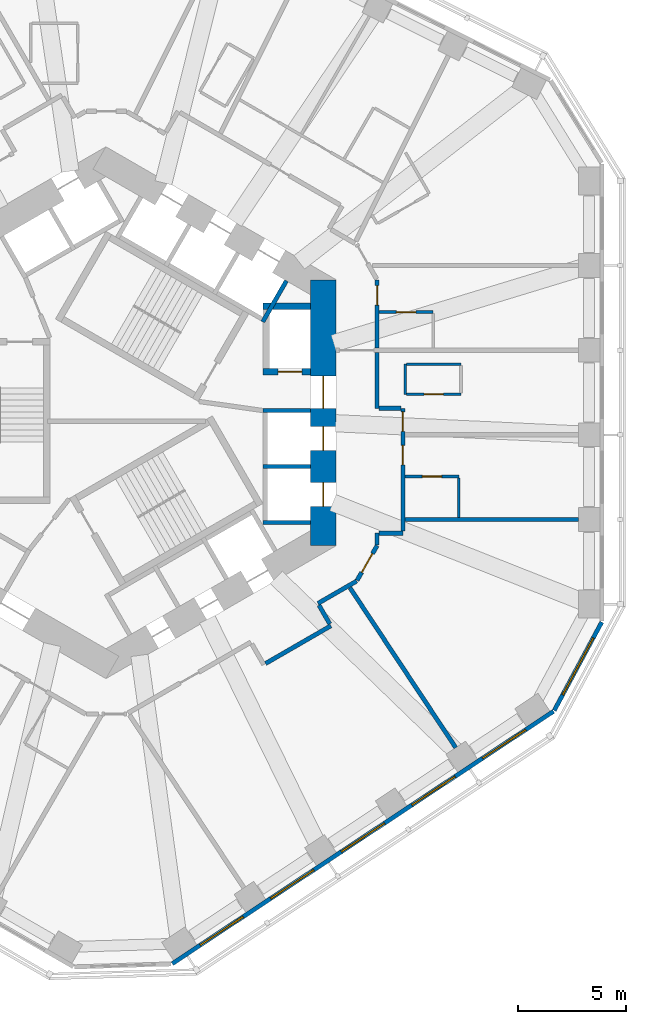
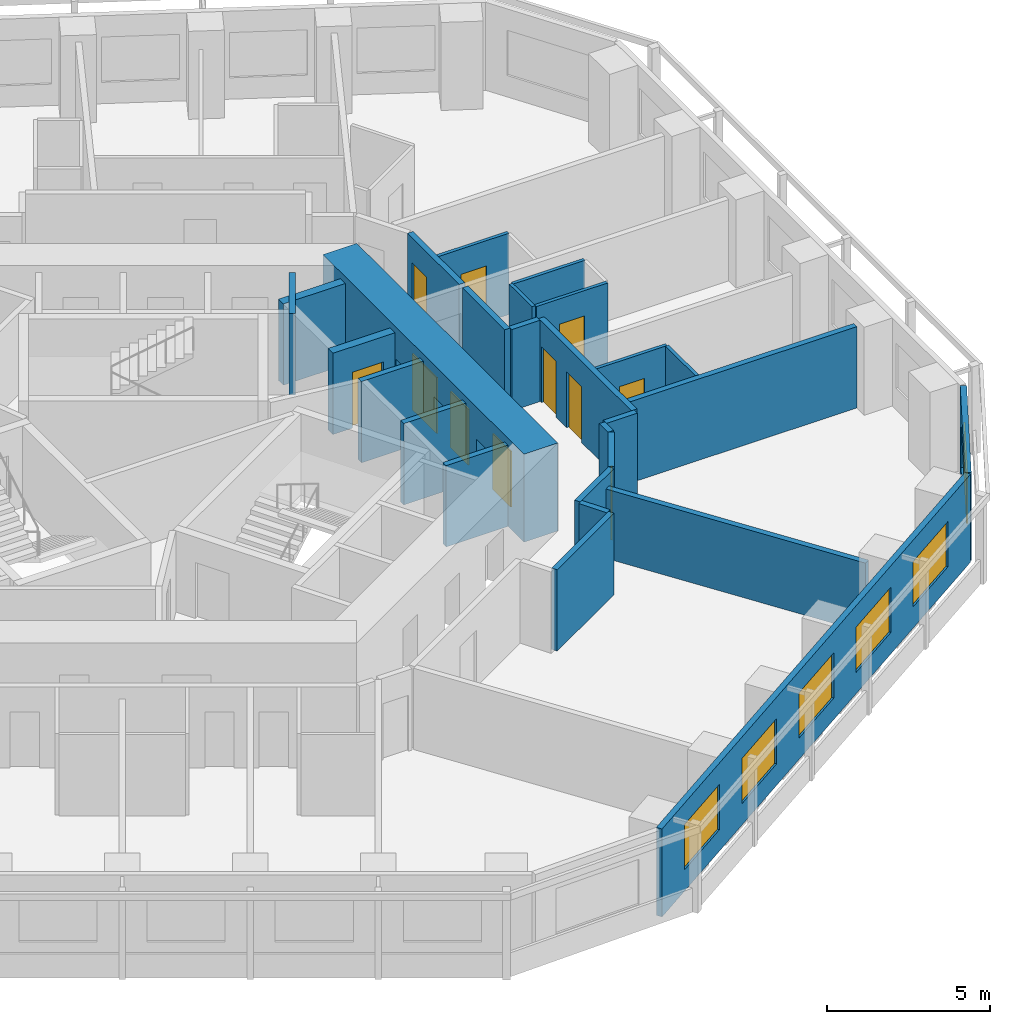
# One storey, part 6 of 12: 27 walls, 11 doors, 6 windows, 17 openings.
"""IFC4 building model written with IfcOpenShell, lengths in metres."""

import ifcopenshell
import ifcopenshell.guid

model = None  # the IFC model being written
_history = None  # IfcOwnerHistory: only IFC2X3 demands one
_inside = {}  # id of a spatial element -> (the spatial element, [elements in it])
_under = {}  # id of a project, library or spatial element -> (it, [spatial elements below it])
_declared = {}  # id of a project -> (the project, [libraries it declares])
_typed = {}  # id of a type object -> (the type object, [elements of that type])
_made_of = {}  # id of a material, layer set ... -> (it, [elements and type objects made of it])


def new_model(schema):
    """Start an empty IFC model of exactly this schema.

    Asked for "IFC4X3", IfcOpenShell would pick the latest addendum, in which some entities
    have other attributes; the version numbers below select the first issue.
    IFC2X3 requires an IfcOwnerHistory on every rooted entity: one is made here for all.
    """
    global model, _history
    if schema == "IFC4X3":
        model = ifcopenshell.file(schema_version=(4, 3, 0, 0))
    else:
        model = ifcopenshell.file(schema=schema)
    _inside.clear()
    _under.clear()
    _declared.clear()
    _typed.clear()
    _made_of.clear()
    _history = None
    if model.schema == "IFC2X3":
        org = make("IfcOrganization", Name="unknown")
        user = make(
            "IfcPersonAndOrganization",
            ThePerson=make("IfcPerson", FamilyName="unknown"),
            TheOrganization=org,
        )
        app = make(
            "IfcApplication",
            ApplicationDeveloper=org,
            Version="unknown",
            ApplicationFullName="unknown",
            ApplicationIdentifier="unknown",
        )
        _history = make(
            "IfcOwnerHistory",
            OwningUser=user,
            OwningApplication=app,
            ChangeAction="ADDED",
            CreationDate=0,
        )
    return model


def make(cls, **values):
    """One entity of the class cls with the attributes given. An attribute that is None is left unset."""
    return model.create_entity(
        cls, **{name: value for name, value in values.items() if value is not None}
    )


def rooted(cls, **values):
    """An entity with a GlobalId (a new one), such as an element, a storey or a relation."""
    return make(cls, GlobalId=ifcopenshell.guid.new(), OwnerHistory=_history, **values)


def si_unit(unit_type, name, prefix=None):
    """IfcSIUnit, for example si_unit("LENGTHUNIT", "METRE", prefix="MILLI")."""
    return make("IfcSIUnit", UnitType=unit_type, Prefix=prefix, Name=name)


def assignment(units):
    """IfcUnitAssignment: the units of a project."""
    return None if units is None else make("IfcUnitAssignment", Units=units)


def point(xyz):
    """IfcCartesianPoint."""
    return None if xyz is None else make("IfcCartesianPoint", Coordinates=xyz)


def direction(xyz):
    """IfcDirection."""
    return None if xyz is None else make("IfcDirection", DirectionRatios=xyz)


def frame(location, z_axis=None, x_axis=None):
    """IfcAxis2Placement3D, a coordinate frame: its origin and axes. An axis left out is left unset."""
    return make(
        "IfcAxis2Placement3D",
        Location=point(location),
        Axis=direction(z_axis),
        RefDirection=direction(x_axis),
    )


def frame_2d(location, x_axis=None):
    """IfcAxis2Placement2D, a coordinate frame in the plane: its origin and x axis."""
    return make(
        "IfcAxis2Placement2D", Location=point(location), RefDirection=direction(x_axis)
    )


def origin():
    """The frame at (0, 0, 0) with its axes left unset."""
    return frame((0.0, 0.0, 0.0))


def place(relative_to, where):
    """IfcLocalPlacement: puts the frame where relative to a parent placement (None: the world)."""
    return make(
        "IfcLocalPlacement", PlacementRelTo=relative_to, RelativePlacement=where
    )


def context(
    kind, dimensions, precision=None, world=None, true_north=None, identifier=None
):
    """IfcGeometricRepresentationContext, for example the 3D "Model" context."""
    return make(
        "IfcGeometricRepresentationContext",
        ContextIdentifier=identifier,
        ContextType=kind,
        CoordinateSpaceDimension=dimensions,
        Precision=precision,
        WorldCoordinateSystem=world,
        TrueNorth=true_north,
    )


def subcontext(parent, identifier, kind, view, scale=None):
    """IfcGeometricRepresentationSubContext, for example "Body" below "Model"."""
    return make(
        "IfcGeometricRepresentationSubContext",
        ContextIdentifier=identifier,
        ContextType=kind,
        ParentContext=parent,
        TargetScale=scale,
        TargetView=view,
    )


def project(units=None, contexts=None):
    """IfcProject with its units and contexts."""
    return rooted(
        "IfcProject",
        Name="project",
        RepresentationContexts=contexts,
        UnitsInContext=assignment(units),
    )


def spatial(cls, under=None, at=None, **own):
    """A site, building, storey or space (cls), placed at a placement, below another one or the project."""
    s = rooted(cls, ObjectPlacement=at, **own)
    if under is not None:
        _under.setdefault(under.id(), (under, []))[1].append(s)
    return s


def profile(cls, at=None, kind="AREA", **sizes):
    """A parametric profile (cls). Its sizes go by their IFC names, for example OverallWidth=200.0."""
    return make(cls, ProfileType=kind, Position=at, **sizes)


def rectangle(**sizes):
    """IfcRectangleProfileDef."""
    return profile("IfcRectangleProfileDef", **sizes)


def extrude(swept, where, along, depth):
    """IfcExtrudedAreaSolid: the profile swept, set in the frame where, extruded along a direction by depth."""
    return make(
        "IfcExtrudedAreaSolid",
        SweptArea=swept,
        Position=where,
        ExtrudedDirection=direction(along),
        Depth=depth,
    )


def shape(context_of_items, identifier, shape_type, items):
    """IfcShapeRepresentation: the items that make up one representation, for example the "Body"."""
    return make(
        "IfcShapeRepresentation",
        ContextOfItems=context_of_items,
        RepresentationIdentifier=identifier,
        RepresentationType=shape_type,
        Items=items,
    )


def material(Name=None, Category=None):
    """IfcMaterial."""
    return make("IfcMaterial", Name=Name, Category=Category)


def layer(
    of_material, thickness, ventilated=None, Name=None, Category=None, Priority=None
):
    """IfcMaterialLayer: one layer of a wall or slab, of a material (None: an air gap)."""
    return make(
        "IfcMaterialLayer",
        Material=of_material,
        LayerThickness=thickness,
        IsVentilated=ventilated,
        Name=Name,
        Category=Category,
        Priority=Priority,
    )


def layer_set(layers, Name=None):
    """IfcMaterialLayerSet."""
    return make("IfcMaterialLayerSet", MaterialLayers=layers, LayerSetName=Name)


def made_of(thing, what):
    """Note that an element or type object is made of a material, layer set ...; save() writes the relation."""
    if what is not None:
        _made_of.setdefault(what.id(), (what, []))[1].append(thing)
    return thing


def type_object(cls, material=None, **own):
    """A type object (cls), such as IfcWallType, which elements share."""
    return made_of(rooted(cls, **own), material)


def element(
    cls,
    number,
    at=None,
    inside=None,
    cuts=None,
    type_object=None,
    material=None,
    context=None,
    identifier="Body",
    shape_type=None,
    held_by="IfcProductDefinitionShape",
    body=None,
    shapes=None,
    **own,
):
    """One element of the class cls, such as IfcWall. Its Tag is "e" and its number.

    at: its placement. inside: the storey or other place that contains it. cuts: it is an
    opening in that element (IfcRelVoidsElement). A single representation is given by context,
    identifier, shape_type and body (its items); several are given by shapes. held_by: the class
    of the entity that holds the representations. save() writes the other relations.
    """
    e = rooted(cls, Tag="e%d" % number, ObjectPlacement=at, **own)
    if body is not None:
        shapes = [shape(context, identifier, shape_type, body)]
    if shapes is not None:
        e.Representation = make(held_by, Representations=shapes)
    if inside is not None:
        _inside.setdefault(inside.id(), (inside, []))[1].append(e)
    if cuts is not None:
        rooted(
            "IfcRelVoidsElement", RelatingBuildingElement=cuts, RelatedOpeningElement=e
        )
    if type_object is not None:
        _typed.setdefault(type_object.id(), (type_object, []))[1].append(e)
    return made_of(e, material)


def fill(opening, filler):
    """IfcRelFillsElement: the door or window that sits in an opening."""
    return rooted(
        "IfcRelFillsElement",
        RelatingOpeningElement=opening,
        RelatedBuildingElement=filler,
    )


def aggregate(whole, parts):
    """IfcRelAggregates: a whole, such as a stair, and the parts it consists of."""
    return rooted("IfcRelAggregates", RelatingObject=whole, RelatedObjects=parts)


def save(model, path):
    """Write the relations noted so far, then the file.

    IfcRelAggregates (storeys below a building ...), IfcRelContainedInSpatialStructure (elements
    in a storey), IfcRelDefinesByType, IfcRelAssociatesMaterial and IfcRelDeclares: one each for
    every whole, place, type object, material and project.
    """
    for whole, parts in _under.values():
        aggregate(whole, parts)
    for where, things in _inside.values():
        rooted(
            "IfcRelContainedInSpatialStructure",
            RelatedElements=things,
            RelatingStructure=where,
        )
    for kind, things in _typed.values():
        rooted("IfcRelDefinesByType", RelatedObjects=things, RelatingType=kind)
    for what, things in _made_of.values():
        rooted("IfcRelAssociatesMaterial", RelatedObjects=things, RelatingMaterial=what)
    for by, libraries in _declared.values():
        rooted("IfcRelDeclares", RelatingContext=by, RelatedDefinitions=libraries)
    model.write(path)


model = new_model("IFC4")

# Units and contexts
model_context = context("Model", 3, precision=1e-05, world=origin(), true_north=direction((0.0, 1.0)))
body_context = subcontext(model_context, "Body", "Model", "MODEL_VIEW")
ifc_project = project(units=[si_unit("LENGTHUNIT", "METRE"), si_unit("AREAUNIT", "SQUARE_METRE"), si_unit("VOLUMEUNIT", "CUBIC_METRE"), si_unit("PLANEANGLEUNIT", "RADIAN"), si_unit("MASSUNIT", "GRAM", prefix="KILO")], contexts=[model_context])

# Site, building, storey
site_placement = place(None, origin())
site = spatial("IfcSite", under=ifc_project, at=site_placement, CompositionType="ELEMENT")
building_placement = place(site_placement, origin())
building = spatial("IfcBuilding", under=site, at=building_placement, Name="Vanh Sen Convention Tower", CompositionType="ELEMENT")
storey_placement = place(building_placement, frame((0.0, 0.0, 93.5)))
storey = spatial("IfcBuildingStorey", under=building, at=storey_placement, Name="L21", CompositionType="ELEMENT", Elevation=93.5)

# Wall, opening, door
ifc_material_1 = material(Name="Moisture-resistant gypsum board on steel studs", Category="steel")
ifc_layer_1 = layer(ifc_material_1, 0.1201171875)
ifc_layer_set_1 = layer_set([ifc_layer_1], Name="Moisture-resistant gypsum board on steel studs")
wall_type_1 = type_object("IfcWallType", Name="Bathroom partition 120", PredefinedType="PARTITIONING", material=ifc_layer_set_1)
wall_1_placement = place(storey_placement, frame((12.699951171875, 4.677490234375, 0.0), z_axis=(0.0, 0.0, 1.0), x_axis=(1.0, 0.0, 0.0)))
wall_1 = element("IfcWall", 1, at=wall_1_placement, inside=storey, type_object=wall_type_1, Name="Bathroom partition 120", PredefinedType="PARTITIONING", context=body_context, shape_type="SweptSolid", body=[
    extrude(rectangle(XDim=2.5, YDim=0.1201171875, at=frame_2d((1.25, 0.0))), origin(), (0.0, 0.0, 1.0), 3.050048828125),
])
opening_1_placement = place(wall_1_placement, frame((0.800048828125, 0.0, 0.0)))
opening_1 = element("IfcOpeningElement", 2, at=opening_1_placement, cuts=wall_1, Name="Opening D19106", PredefinedType="OPENING", context=body_context, shape_type="SweptSolid", body=[
    extrude(rectangle(XDim=0.89990234375, YDim=2.10009765625, at=frame_2d((0.449951171875, 1.050048828125))), frame((0.0, 0.070068359375, 0.0), z_axis=(0.0, -1.0, 0.0), x_axis=(1.0, 0.0, 0.0)), (0.0, 0.0, 1.0), 0.14013671875),
])
ifc_material_2 = material(Name="Laminate door in steel frame", Category="steel")
door_type_1 = type_object("IfcDoorType", Name="En-suite door 900", OperationType="SINGLE_SWING_LEFT", PredefinedType="DOOR", material=ifc_material_2)
door_1_placement = place(opening_1_placement, origin())
door_1 = element("IfcDoor", 3, at=door_1_placement, inside=storey, type_object=door_type_1, Name="En-suite door D19106", OperationType="SINGLE_SWING_LEFT", OverallHeight=2.10009765625, OverallWidth=0.89990234375, PredefinedType="DOOR", context=body_context, shape_type="SweptSolid", body=[
    extrude(rectangle(XDim=0.89990234375, YDim=2.10009765625, at=frame_2d((0.449951171875, 1.050048828125))), frame((0.0, 0.02490234375, 0.0), z_axis=(0.0, -1.0, 0.0), x_axis=(1.0, 0.0, 0.0)), (0.0, 0.0, 1.0), 0.050048828125),
])
fill(opening_1, door_1)

wall_2_placement = place(storey_placement, frame((13.90087890625, -2.964599609375, 0.0), z_axis=(0.0, 0.0, 1.0), x_axis=(1.0, 0.0, 0.0)))
wall_2 = element("IfcWall", 4, at=wall_2_placement, inside=storey, type_object=wall_type_1, Name="Bathroom partition 120", PredefinedType="PARTITIONING", context=body_context, shape_type="SweptSolid", body=[
    extrude(rectangle(XDim=2.5, YDim=0.1201171875, at=frame_2d((1.25, 0.0))), origin(), (0.0, 0.0, 1.0), 3.050048828125),
])
opening_2_placement = place(wall_2_placement, frame((0.800048828125, 0.0, 0.0)))
opening_2 = element("IfcOpeningElement", 5, at=opening_2_placement, cuts=wall_2, Name="Opening D19102", PredefinedType="OPENING", context=body_context, shape_type="SweptSolid", body=[
    extrude(rectangle(XDim=0.89990234375, YDim=2.10009765625, at=frame_2d((0.449951171875, 1.050048828125))), frame((0.0, 0.070068359375, 0.0), z_axis=(0.0, -1.0, 0.0), x_axis=(1.0, 0.0, 0.0)), (0.0, 0.0, 1.0), 0.14013671875),
])
door_2_placement = place(opening_2_placement, origin())
door_2 = element("IfcDoor", 6, at=door_2_placement, inside=storey, type_object=door_type_1, Name="En-suite door D19102", OperationType="SINGLE_SWING_LEFT", OverallHeight=2.10009765625, OverallWidth=0.89990234375, PredefinedType="DOOR", context=body_context, shape_type="SweptSolid", body=[
    extrude(rectangle(XDim=0.89990234375, YDim=2.10009765625, at=frame_2d((0.449951171875, 1.050048828125))), frame((0.0, 0.02490234375, 0.0), z_axis=(0.0, -1.0, 0.0), x_axis=(1.0, 0.0, 0.0)), (0.0, 0.0, 1.0), 0.050048828125),
])
fill(opening_2, door_2)

# Walls
wall_3_placement = place(storey_placement, frame((13.89990234375, 0.852783203125, 0.0), z_axis=(0.0, 0.0, 1.0), x_axis=(0.0, 1.0, 0.0)))
element("IfcWall", 7, at=wall_3_placement, inside=storey, type_object=wall_type_1, Name="Bathroom partition 120", PredefinedType="PARTITIONING", context=body_context, shape_type="SweptSolid", body=[
    extrude(rectangle(XDim=1.39990234375, YDim=0.1201171875, at=frame_2d((0.699951171875, 0.0))), origin(), (0.0, 0.0, 1.0), 3.050048828125),
])
wall_4_placement = place(storey_placement, frame((13.9599609375, 2.252685546875, 0.0), z_axis=(0.0, 0.0, 1.0), x_axis=(1.0, 0.0, 0.0)))
element("IfcWall", 8, at=wall_4_placement, inside=storey, type_object=wall_type_1, Name="Bathroom partition 120", PredefinedType="PARTITIONING", context=body_context, shape_type="SweptSolid", body=[
    extrude(rectangle(XDim=2.5400390625, YDim=0.1201171875, at=frame_2d((1.27001953125, 0.0))), origin(), (0.0, 0.0, 1.0), 3.050048828125),
])
wall_5_placement = place(storey_placement, frame((16.40087890625, -3.024658203125, 0.0), z_axis=(0.0, 0.0, 1.0), x_axis=(0.0, -1.0, 0.0)))
element("IfcWall", 9, at=wall_5_placement, inside=storey, type_object=wall_type_1, Name="Bathroom partition 120", PredefinedType="PARTITIONING", context=body_context, shape_type="SweptSolid", body=[
    extrude(rectangle(XDim=1.83984375, YDim=0.1201171875, at=frame_2d((0.919921875, 0.0))), origin(), (0.0, 0.0, 1.0), 3.050048828125),
])

# Wall, opening, door
wall_6_placement = place(storey_placement, frame((16.5, 0.852783203125, 0.0), z_axis=(0.0, 0.0, 1.0), x_axis=(-1.0, 0.0, 0.0)))
wall_6 = element("IfcWall", 10, at=wall_6_placement, inside=storey, type_object=wall_type_1, Name="Bathroom partition 120", PredefinedType="PARTITIONING", context=body_context, shape_type="SweptSolid", body=[
    extrude(rectangle(XDim=2.5400390625, YDim=0.1201171875, at=frame_2d((1.27001953125, 0.0))), origin(), (0.0, 0.0, 1.0), 3.050048828125),
])
opening_3_placement = place(wall_6_placement, frame((0.820068359375, 0.0, 0.0)))
opening_3 = element("IfcOpeningElement", 11, at=opening_3_placement, cuts=wall_6, Name="Opening D19104", PredefinedType="OPENING", context=body_context, shape_type="SweptSolid", body=[
    extrude(rectangle(XDim=0.89990234375, YDim=2.10009765625, at=frame_2d((0.449951171875, 1.050048828125))), frame((0.0, 0.070068359375, 0.0), z_axis=(0.0, -1.0, 0.0), x_axis=(1.0, 0.0, 0.0)), (0.0, 0.0, 1.0), 0.14013671875),
])
door_3_placement = place(opening_3_placement, origin())
door_3 = element("IfcDoor", 12, at=door_3_placement, inside=storey, type_object=door_type_1, Name="En-suite door D19104", OperationType="SINGLE_SWING_LEFT", OverallHeight=2.10009765625, OverallWidth=0.89990234375, PredefinedType="DOOR", context=body_context, shape_type="SweptSolid", body=[
    extrude(rectangle(XDim=0.89990234375, YDim=2.10009765625, at=frame_2d((0.449951171875, 1.050048828125))), frame((0.0, 0.02490234375, 0.0), z_axis=(0.0, -1.0, 0.0), x_axis=(1.0, 0.0, 0.0)), (0.0, 0.0, 1.0), 0.050048828125),
])
fill(opening_3, door_3)

# Wall, openings, doors
ifc_material_3 = material(Name="Concrete C80/95", Category="concrete")
ifc_layer_2 = layer(ifc_material_3, 1.199951171875)
ifc_layer_set_2 = layer_set([ifc_layer_2], Name="Concrete C80/95")
wall_type_2 = type_object("IfcWallType", Name="Core outer wall 1200 C80/95", PredefinedType="SHEAR", material=ifc_layer_set_2)
wall_7_placement = place(storey_placement, frame((10.10009765625, -6.177490234375, 0.0), z_axis=(0.0, 0.0, 1.0), x_axis=(0.0, 1.0, 0.0)))
wall_7 = element("IfcWall", 13, at=wall_7_placement, inside=storey, type_object=wall_type_2, Name="Core wall face E L21", PredefinedType="SHEAR", context=body_context, shape_type="SweptSolid", body=[
    extrude(rectangle(XDim=12.35498046875, YDim=1.199951171875, at=frame_2d((6.177490234375, 0.0))), origin(), (0.0, 0.0, 1.0), 3.300048828125),
])
opening_4_placement = place(wall_7_placement, frame((6.377685546875, 0.0, 0.0)))
opening_4 = element("IfcOpeningElement", 14, at=opening_4_placement, cuts=wall_7, Name="Opening D19001", PredefinedType="OPENING", context=body_context, shape_type="SweptSolid", body=[
    extrude(rectangle(XDim=1.5, YDim=2.10009765625, at=frame_2d((0.75, 1.050048828125))), frame((0.0, 0.60986328125, 0.0), z_axis=(0.0, -1.0, 0.0), x_axis=(1.0, 0.0, 0.0)), (0.0, 0.0, 1.0), 1.219970703125),
])
opening_5_placement = place(wall_7_placement, frame((1.82763671875, 0.0, 0.0)))
opening_5 = element("IfcOpeningElement", 15, at=opening_5_placement, cuts=wall_7, Name="Opening LD-LR1", PredefinedType="OPENING", context=body_context, shape_type="SweptSolid", body=[
    extrude(rectangle(XDim=1.10009765625, YDim=2.10009765625, at=frame_2d((0.550048828125, 1.050048828125))), frame((0.0, 0.60986328125, 0.0), z_axis=(0.0, -1.0, 0.0), x_axis=(1.0, 0.0, 0.0)), (0.0, 0.0, 1.0), 1.219970703125),
])
opening_6_placement = place(wall_7_placement, frame((4.427490234375, 0.0, 0.0)))
opening_6 = element("IfcOpeningElement", 16, at=opening_6_placement, cuts=wall_7, Name="Opening LD-LR2", PredefinedType="OPENING", context=body_context, shape_type="SweptSolid", body=[
    extrude(rectangle(XDim=1.10009765625, YDim=2.10009765625, at=frame_2d((0.550048828125, 1.050048828125))), frame((0.0, 0.60986328125, 0.0), z_axis=(0.0, -1.0, 0.0), x_axis=(1.0, 0.0, 0.0)), (0.0, 0.0, 1.0), 1.219970703125),
])
ifc_material_4 = material(Name="Stainless steel", Category="steel")
door_type_2 = type_object("IfcDoorType", Name="Lift landing door 1100", OperationType="DOUBLE_DOOR_SLIDING", PredefinedType="DOOR", material=ifc_material_4)
door_4_placement = place(opening_5_placement, origin())
door_4 = element("IfcDoor", 17, at=door_4_placement, inside=storey, type_object=door_type_2, Name="Lift LR1 landing door LD-LR1", OperationType="DOUBLE_DOOR_SLIDING", OverallHeight=2.10009765625, OverallWidth=1.10009765625, PredefinedType="DOOR", context=body_context, shape_type="SweptSolid", body=[
    extrude(rectangle(XDim=1.10009765625, YDim=2.10009765625, at=frame_2d((0.550048828125, 1.050048828125))), frame((0.0, 0.02490234375, 0.0), z_axis=(0.0, -1.0, 0.0), x_axis=(1.0, 0.0, 0.0)), (0.0, 0.0, 1.0), 0.050048828125),
])
fill(opening_5, door_4)
door_5_placement = place(opening_6_placement, origin())
door_5 = element("IfcDoor", 18, at=door_5_placement, inside=storey, type_object=door_type_2, Name="Lift LR2 landing door LD-LR2", OperationType="DOUBLE_DOOR_SLIDING", OverallHeight=2.10009765625, OverallWidth=1.10009765625, PredefinedType="DOOR", context=body_context, shape_type="SweptSolid", body=[
    extrude(rectangle(XDim=1.10009765625, YDim=2.10009765625, at=frame_2d((0.550048828125, 1.050048828125))), frame((0.0, 0.02490234375, 0.0), z_axis=(0.0, -1.0, 0.0), x_axis=(1.0, 0.0, 0.0)), (0.0, 0.0, 1.0), 0.050048828125),
])
fill(opening_6, door_5)
ifc_material_5 = material(Name="Steel S355", Category="steel")
door_type_3 = type_object("IfcDoorType", Name="Stair lobby door 1500", OperationType="DOUBLE_DOOR_SINGLE_SWING", PredefinedType="DOOR", material=ifc_material_5)
door_6_placement = place(opening_4_placement, origin())
door_6 = element("IfcDoor", 19, at=door_6_placement, inside=storey, type_object=door_type_3, Name="Stair lobby door D19001", OperationType="DOUBLE_DOOR_SINGLE_SWING", OverallHeight=2.10009765625, OverallWidth=1.5, PredefinedType="DOOR", context=body_context, shape_type="SweptSolid", body=[
    extrude(rectangle(XDim=1.5, YDim=2.10009765625, at=frame_2d((0.75, 1.050048828125))), frame((0.0, 0.02490234375, 0.0), z_axis=(0.0, -1.0, 0.0), x_axis=(1.0, 0.0, 0.0)), (0.0, 0.0, 1.0), 0.050048828125),
])
fill(opening_4, door_6)

# Walls
ifc_material_6 = material(Name="Gypsum board on steel studs with mineral wool", Category="steel")
ifc_layer_3 = layer(ifc_material_6, 0.199951171875)
ifc_layer_set_3 = layer_set([ifc_layer_3], Name="Gypsum board on steel studs with mineral wool")
wall_type_3 = type_object("IfcWallType", Name="Corridor partition wall 200", PredefinedType="PARTITIONING", material=ifc_layer_set_3)
wall_8_placement = place(storey_placement, frame((7.419189453125, -11.652587890625, 0.0), z_axis=(0.0, 0.0, 1.0), x_axis=(0.866038154057, 0.49997791523, 0.0)))
element("IfcWall", 20, at=wall_8_placement, inside=storey, type_object=wall_type_3, Name="Corridor partition wall 200", PredefinedType="PARTITIONING", context=body_context, shape_type="SweptSolid", body=[
    extrude(rectangle(XDim=3.502197265625, YDim=0.199951171875, at=frame_2d((1.7509765625, 0.0))), origin(), (0.0, 0.0, 1.0), 3.050048828125),
])
wall_9_placement = place(storey_placement, frame((9.8515625, -8.861328125, 0.0), z_axis=(0.0, 0.0, 1.0), x_axis=(0.866013291437, 0.500020978615, 0.0)))
element("IfcWall", 21, at=wall_9_placement, inside=storey, type_object=wall_type_3, Name="Corridor partition wall 200", PredefinedType="PARTITIONING", context=body_context, shape_type="SweptSolid", body=[
    extrude(rectangle(XDim=2.07666015625, YDim=0.199951171875, at=frame_2d((1.038330078125, 0.0))), origin(), (0.0, 0.0, 1.0), 3.050048828125),
])
wall_10_placement = place(storey_placement, frame((10.402099609375, -9.81494140625, 0.0), z_axis=(0.0, 0.0, 1.0), x_axis=(-0.499968756647, 0.866043441391, 0.0)))
element("IfcWall", 22, at=wall_10_placement, inside=storey, type_object=wall_type_3, Name="Corridor partition wall 200", PredefinedType="PARTITIONING", context=body_context, shape_type="SweptSolid", body=[
    extrude(rectangle(XDim=1.0009765625, YDim=0.199951171875, at=frame_2d((0.50048828125, 0.0))), origin(), (0.0, 0.0, 1.0), 3.050048828125),
])

# Wall, opening, door
wall_11_placement = place(storey_placement, frame((11.669921875, -7.788330078125, 0.0), z_axis=(0.0, 0.0, 1.0), x_axis=(0.500063286585, 0.865988862174, 0.0)))
wall_11 = element("IfcWall", 23, at=wall_11_placement, inside=storey, type_object=wall_type_3, Name="Corridor partition wall 200", PredefinedType="PARTITIONING", context=body_context, shape_type="SweptSolid", body=[
    extrude(rectangle(XDim=1.860107421875, YDim=0.199951171875, at=frame_2d((0.93017578125, 0.0))), origin(), (0.0, 0.0, 1.0), 3.050048828125),
])
opening_7_placement = place(wall_11_placement, frame((0.429931640625, 0.0, 0.0)))
opening_7 = element("IfcOpeningElement", 24, at=opening_7_placement, cuts=wall_11, Name="Opening D19139", PredefinedType="OPENING", context=body_context, shape_type="SweptSolid", body=[
    extrude(rectangle(XDim=1.0, YDim=2.10009765625, at=frame_2d((0.5, 1.050048828125))), frame((0.0, 0.10986328125, 0.0), z_axis=(0.0, -1.0, 0.0), x_axis=(1.0, 0.0, 0.0)), (0.0, 0.0, 1.0), 0.219970703125),
])
ifc_material_7 = material(Name="Timber fire door in steel frame", Category="steel")
door_type_4 = type_object("IfcDoorType", Name="Floor room door 1000", OperationType="SINGLE_SWING_LEFT", PredefinedType="DOOR", material=ifc_material_7)
door_7_placement = place(opening_7_placement, origin())
door_7 = element("IfcDoor", 25, at=door_7_placement, inside=storey, type_object=door_type_4, Name="Meeting and amenity room door D19139", OperationType="SINGLE_SWING_LEFT", OverallHeight=2.10009765625, OverallWidth=1.0, PredefinedType="DOOR", context=body_context, shape_type="SweptSolid", body=[
    extrude(rectangle(XDim=1.0, YDim=2.10009765625, at=frame_2d((0.5, 1.050048828125))), frame((0.0, 0.02490234375, 0.0), z_axis=(0.0, -1.0, 0.0), x_axis=(1.0, 0.0, 0.0)), (0.0, 0.0, 1.0), 0.050048828125),
])
fill(opening_7, door_7)

# Walls
wall_12_placement = place(storey_placement, frame((12.60009765625, -6.1376953125, 0.0), z_axis=(0.0, 0.0, 1.0), x_axis=(0.0, 1.0, 0.0)))
element("IfcWall", 26, at=wall_12_placement, inside=storey, type_object=wall_type_3, Name="Corridor partition wall 200", PredefinedType="PARTITIONING", context=body_context, shape_type="SweptSolid", body=[
    extrude(rectangle(XDim=0.53662109375, YDim=0.199951171875, at=frame_2d((0.268310546875, 0.0))), origin(), (0.0, 0.0, 1.0), 3.050048828125),
])
wall_13_placement = place(storey_placement, frame((12.60009765625, 0.200927734375, 0.0), z_axis=(0.0, 0.0, 1.0), x_axis=(0.0, 1.0, 0.0)))
element("IfcWall", 27, at=wall_13_placement, inside=storey, type_object=wall_type_3, Name="Corridor partition wall 200", PredefinedType="PARTITIONING", context=body_context, shape_type="SweptSolid", body=[
    extrude(rectangle(XDim=2.603515625, YDim=0.199951171875, at=frame_2d((1.3017578125, 0.0))), origin(), (0.0, 0.0, 1.0), 3.050048828125),
])

# Wall, opening, door
wall_14_placement = place(storey_placement, frame((12.60009765625, 3.00439453125, 0.0), z_axis=(0.0, 0.0, 1.0), x_axis=(0.0, 1.0, 0.0)))
wall_14 = element("IfcWall", 28, at=wall_14_placement, inside=storey, type_object=wall_type_3, Name="Corridor partition wall 200", PredefinedType="PARTITIONING", context=body_context, shape_type="SweptSolid", body=[
    extrude(rectangle(XDim=3.173095703125, YDim=0.199951171875, at=frame_2d((1.58642578125, 0.0))), origin(), (0.0, 0.0, 1.0), 3.050048828125),
])
opening_8_placement = place(wall_14_placement, frame((1.998046875, 0.0, 0.0)))
opening_8 = element("IfcOpeningElement", 29, at=opening_8_placement, cuts=wall_14, Name="Opening D19105", PredefinedType="OPENING", context=body_context, shape_type="SweptSolid", body=[
    extrude(rectangle(XDim=0.89990234375, YDim=2.10009765625, at=frame_2d((0.449951171875, 1.050048828125))), frame((0.0, 0.10986328125, 0.0), z_axis=(0.0, -1.0, 0.0), x_axis=(1.0, 0.0, 0.0)), (0.0, 0.0, 1.0), 0.219970703125),
])
door_type_5 = type_object("IfcDoorType", Name="Guest room door 900", OperationType="SINGLE_SWING_LEFT", PredefinedType="DOOR", material=ifc_material_7)
door_8_placement = place(opening_8_placement, origin())
door_8 = element("IfcDoor", 30, at=door_8_placement, inside=storey, type_object=door_type_5, Name="Hotel guest room door D19105", OperationType="SINGLE_SWING_LEFT", OverallHeight=2.10009765625, OverallWidth=0.89990234375, PredefinedType="DOOR", context=body_context, shape_type="SweptSolid", body=[
    extrude(rectangle(XDim=0.89990234375, YDim=2.10009765625, at=frame_2d((0.449951171875, 1.050048828125))), frame((0.0, 0.02490234375, 0.0), z_axis=(0.0, -1.0, 0.0), x_axis=(1.0, 0.0, 0.0)), (0.0, 0.0, 1.0), 0.050048828125),
])
fill(opening_8, door_8)

# Walls
wall_15_placement = place(storey_placement, frame((12.699951171875, -5.60107421875, 0.0), z_axis=(0.0, 0.0, 1.0), x_axis=(1.0, 0.0, 0.0)))
element("IfcWall", 31, at=wall_15_placement, inside=storey, type_object=wall_type_3, Name="Corridor partition wall 200", PredefinedType="PARTITIONING", context=body_context, shape_type="SweptSolid", body=[
    extrude(rectangle(XDim=1.10107421875, YDim=0.199951171875, at=frame_2d((0.550537109375, 0.0))), origin(), (0.0, 0.0, 1.0), 3.050048828125),
])
wall_16_placement = place(storey_placement, frame((13.700927734375, 0.200927734375, 0.0), z_axis=(0.0, 0.0, 1.0), x_axis=(-1.0, 0.0, 0.0)))
element("IfcWall", 32, at=wall_16_placement, inside=storey, type_object=wall_type_3, Name="Corridor partition wall 200", PredefinedType="PARTITIONING", context=body_context, shape_type="SweptSolid", body=[
    extrude(rectangle(XDim=1.0009765625, YDim=0.199951171875, at=frame_2d((0.50048828125, 0.0))), origin(), (0.0, 0.0, 1.0), 3.050048828125),
])

# Wall, openings, doors
wall_17_placement = place(storey_placement, frame((13.801025390625, -5.5009765625, 0.0), z_axis=(0.0, 0.0, 1.0), x_axis=(0.0, 1.0, 0.0)))
wall_17 = element("IfcWall", 33, at=wall_17_placement, inside=storey, type_object=wall_type_3, Name="Corridor partition wall 200", PredefinedType="PARTITIONING", context=body_context, shape_type="SweptSolid", body=[
    extrude(rectangle(XDim=5.701904296875, YDim=0.199951171875, at=frame_2d((2.85107421875, 0.0))), origin(), (0.0, 0.0, 1.0), 3.050048828125),
])
opening_9_placement = place(wall_17_placement, frame((3.07861328125, 0.0, 0.0)))
opening_9 = element("IfcOpeningElement", 34, at=opening_9_placement, cuts=wall_17, Name="Opening D19101", PredefinedType="OPENING", context=body_context, shape_type="SweptSolid", body=[
    extrude(rectangle(XDim=0.89990234375, YDim=2.10009765625, at=frame_2d((0.449951171875, 1.050048828125))), frame((0.0, 0.10986328125, 0.0), z_axis=(0.0, -1.0, 0.0), x_axis=(1.0, 0.0, 0.0)), (0.0, 0.0, 1.0), 0.219970703125),
])
opening_10_placement = place(wall_17_placement, frame((4.636474609375, 0.0, 0.0)))
opening_10 = element("IfcOpeningElement", 35, at=opening_10_placement, cuts=wall_17, Name="Opening D19103", PredefinedType="OPENING", context=body_context, shape_type="SweptSolid", body=[
    extrude(rectangle(XDim=0.89990234375, YDim=2.10009765625, at=frame_2d((0.449951171875, 1.050048828125))), frame((0.0, 0.10986328125, 0.0), z_axis=(0.0, -1.0, 0.0), x_axis=(1.0, 0.0, 0.0)), (0.0, 0.0, 1.0), 0.219970703125),
])
door_9_placement = place(opening_9_placement, origin())
door_9 = element("IfcDoor", 36, at=door_9_placement, inside=storey, type_object=door_type_5, Name="Hotel guest room door D19101", OperationType="SINGLE_SWING_LEFT", OverallHeight=2.10009765625, OverallWidth=0.89990234375, PredefinedType="DOOR", context=body_context, shape_type="SweptSolid", body=[
    extrude(rectangle(XDim=0.89990234375, YDim=2.10009765625, at=frame_2d((0.449951171875, 1.050048828125))), frame((0.0, 0.02490234375, 0.0), z_axis=(0.0, -1.0, 0.0), x_axis=(1.0, 0.0, 0.0)), (0.0, 0.0, 1.0), 0.050048828125),
])
fill(opening_9, door_9)
door_10_placement = place(opening_10_placement, origin())
door_10 = element("IfcDoor", 37, at=door_10_placement, inside=storey, type_object=door_type_5, Name="Hotel guest room door D19103", OperationType="SINGLE_SWING_LEFT", OverallHeight=2.10009765625, OverallWidth=0.89990234375, PredefinedType="DOOR", context=body_context, shape_type="SweptSolid", body=[
    extrude(rectangle(XDim=0.89990234375, YDim=2.10009765625, at=frame_2d((0.449951171875, 1.050048828125))), frame((0.0, 0.02490234375, 0.0), z_axis=(0.0, -1.0, 0.0), x_axis=(1.0, 0.0, 0.0)), (0.0, 0.0, 1.0), 0.050048828125),
])
fill(opening_10, door_10)

# Wall, openings, windows
ifc_material_8 = material(Name="Insulated lightweight infill wall")
ifc_layer_4 = layer(ifc_material_8, 0.199951171875)
ifc_layer_set_4 = layer_set([ifc_layer_4], Name="Insulated lightweight infill wall")
wall_type_4 = type_object("IfcWallType", Name="External wall 200", PredefinedType="STANDARD", material=ifc_layer_set_4)
wall_18_placement = place(storey_placement, frame((3.0830078125, -25.60107421875, 0.0), z_axis=(0.0, 0.0, 1.0), x_axis=(0.833884295743, 0.551939291329, 0.0)))
wall_18 = element("IfcWall", 38, at=wall_18_placement, inside=storey, type_object=wall_type_4, Name="External wall SE L21", PredefinedType="STANDARD", context=body_context, shape_type="SweptSolid", body=[
    extrude(rectangle(XDim=21.24609375, YDim=0.199951171875, at=frame_2d((10.623046875, 0.0))), origin(), (0.0, 0.0, 1.0), 3.300048828125),
])
opening_11_placement = place(wall_18_placement, frame((1.552978515625, 0.0, 0.800048828125)))
opening_11 = element("IfcOpeningElement", 39, at=opening_11_placement, cuts=wall_18, Name="Opening WH1-SE1", PredefinedType="OPENING", context=body_context, shape_type="SweptSolid", body=[
    extrude(rectangle(XDim=2.39990234375, YDim=1.699951171875, at=frame_2d((1.199951171875, 0.85009765625))), frame((0.0, 0.10986328125, 0.0), z_axis=(0.0, -1.0, 0.0), x_axis=(1.0, 0.0, 0.0)), (0.0, 0.0, 1.0), 0.219970703125),
])
opening_12_placement = place(wall_18_placement, frame((5.487548828125, 0.0, 0.800048828125)))
opening_12 = element("IfcOpeningElement", 40, at=opening_12_placement, cuts=wall_18, Name="Opening WH1-SE2", PredefinedType="OPENING", context=body_context, shape_type="SweptSolid", body=[
    extrude(rectangle(XDim=2.39990234375, YDim=1.699951171875, at=frame_2d((1.199951171875, 0.85009765625))), frame((0.0, 0.10986328125, 0.0), z_axis=(0.0, -1.0, 0.0), x_axis=(1.0, 0.0, 0.0)), (0.0, 0.0, 1.0), 0.219970703125),
])
opening_13_placement = place(wall_18_placement, frame((9.422119140625, 0.0, 0.800048828125)))
opening_13 = element("IfcOpeningElement", 41, at=opening_13_placement, cuts=wall_18, Name="Opening WH1-SE3", PredefinedType="OPENING", context=body_context, shape_type="SweptSolid", body=[
    extrude(rectangle(XDim=2.39990234375, YDim=1.699951171875, at=frame_2d((1.199951171875, 0.85009765625))), frame((0.0, 0.10986328125, 0.0), z_axis=(0.0, -1.0, 0.0), x_axis=(1.0, 0.0, 0.0)), (0.0, 0.0, 1.0), 0.219970703125),
])
opening_14_placement = place(wall_18_placement, frame((13.356689453125, 0.0, 0.800048828125)))
opening_14 = element("IfcOpeningElement", 42, at=opening_14_placement, cuts=wall_18, Name="Opening WH1-SE4", PredefinedType="OPENING", context=body_context, shape_type="SweptSolid", body=[
    extrude(rectangle(XDim=2.39990234375, YDim=1.699951171875, at=frame_2d((1.199951171875, 0.85009765625))), frame((0.0, 0.10986328125, 0.0), z_axis=(0.0, -1.0, 0.0), x_axis=(1.0, 0.0, 0.0)), (0.0, 0.0, 1.0), 0.219970703125),
])
opening_15_placement = place(wall_18_placement, frame((17.291259765625, 0.0, 0.800048828125)))
opening_15 = element("IfcOpeningElement", 43, at=opening_15_placement, cuts=wall_18, Name="Opening WH1-SE5", PredefinedType="OPENING", context=body_context, shape_type="SweptSolid", body=[
    extrude(rectangle(XDim=2.39990234375, YDim=1.699951171875, at=frame_2d((1.199951171875, 0.85009765625))), frame((0.0, 0.10986328125, 0.0), z_axis=(0.0, -1.0, 0.0), x_axis=(1.0, 0.0, 0.0)), (0.0, 0.0, 1.0), 0.219970703125),
])
ifc_material_9 = material(Name="Aluminium frame with clear low-emissivity glass", Category="aluminium")
window_type_1 = type_object("IfcWindowType", Name="Hotel window 2400 x 1700", PartitioningType="SINGLE_PANEL", PredefinedType="WINDOW", material=ifc_material_9)
window_1_placement = place(opening_11_placement, origin())
window_1 = element("IfcWindow", 44, at=window_1_placement, inside=storey, type_object=window_type_1, Name="Window WH1-SE1", OverallHeight=1.699951171875, OverallWidth=2.39990234375, PartitioningType="SINGLE_PANEL", PredefinedType="WINDOW", context=body_context, shape_type="SweptSolid", body=[
    extrude(rectangle(XDim=2.39990234375, YDim=1.699951171875, at=frame_2d((1.199951171875, 0.85009765625))), frame((0.0, 0.030029296875, 0.0), z_axis=(0.0, -1.0, 0.0), x_axis=(1.0, 0.0, 0.0)), (0.0, 0.0, 1.0), 0.06005859375),
])
fill(opening_11, window_1)
window_2_placement = place(opening_12_placement, origin())
window_2 = element("IfcWindow", 45, at=window_2_placement, inside=storey, type_object=window_type_1, Name="Window WH1-SE2", OverallHeight=1.699951171875, OverallWidth=2.39990234375, PartitioningType="SINGLE_PANEL", PredefinedType="WINDOW", context=body_context, shape_type="SweptSolid", body=[
    extrude(rectangle(XDim=2.39990234375, YDim=1.699951171875, at=frame_2d((1.199951171875, 0.85009765625))), frame((0.0, 0.030029296875, 0.0), z_axis=(0.0, -1.0, 0.0), x_axis=(1.0, 0.0, 0.0)), (0.0, 0.0, 1.0), 0.06005859375),
])
fill(opening_12, window_2)
window_3_placement = place(opening_13_placement, origin())
window_3 = element("IfcWindow", 46, at=window_3_placement, inside=storey, type_object=window_type_1, Name="Window WH1-SE3", OverallHeight=1.699951171875, OverallWidth=2.39990234375, PartitioningType="SINGLE_PANEL", PredefinedType="WINDOW", context=body_context, shape_type="SweptSolid", body=[
    extrude(rectangle(XDim=2.39990234375, YDim=1.699951171875, at=frame_2d((1.199951171875, 0.85009765625))), frame((0.0, 0.030029296875, 0.0), z_axis=(0.0, -1.0, 0.0), x_axis=(1.0, 0.0, 0.0)), (0.0, 0.0, 1.0), 0.06005859375),
])
fill(opening_13, window_3)
window_4_placement = place(opening_14_placement, origin())
window_4 = element("IfcWindow", 47, at=window_4_placement, inside=storey, type_object=window_type_1, Name="Window WH1-SE4", OverallHeight=1.699951171875, OverallWidth=2.39990234375, PartitioningType="SINGLE_PANEL", PredefinedType="WINDOW", context=body_context, shape_type="SweptSolid", body=[
    extrude(rectangle(XDim=2.39990234375, YDim=1.699951171875, at=frame_2d((1.199951171875, 0.85009765625))), frame((0.0, 0.030029296875, 0.0), z_axis=(0.0, -1.0, 0.0), x_axis=(1.0, 0.0, 0.0)), (0.0, 0.0, 1.0), 0.06005859375),
])
fill(opening_14, window_4)
window_5_placement = place(opening_15_placement, origin())
window_5 = element("IfcWindow", 48, at=window_5_placement, inside=storey, type_object=window_type_1, Name="Window WH1-SE5", OverallHeight=1.699951171875, OverallWidth=2.39990234375, PartitioningType="SINGLE_PANEL", PredefinedType="WINDOW", context=body_context, shape_type="SweptSolid", body=[
    extrude(rectangle(XDim=2.39990234375, YDim=1.699951171875, at=frame_2d((1.199951171875, 0.85009765625))), frame((0.0, 0.030029296875, 0.0), z_axis=(0.0, -1.0, 0.0), x_axis=(1.0, 0.0, 0.0)), (0.0, 0.0, 1.0), 0.06005859375),
])
fill(opening_15, window_5)

# Wall, opening, window
wall_19_placement = place(storey_placement, frame((20.83251953125, -13.838623046875, 0.0), z_axis=(0.0, 0.0, 1.0), x_axis=(0.473321668581, 0.880889662813, 0.0)))
wall_19 = element("IfcWall", 49, at=wall_19_placement, inside=storey, type_object=wall_type_4, Name="External wall CH6 L21", PredefinedType="STANDARD", context=body_context, shape_type="SweptSolid", body=[
    extrude(rectangle(XDim=4.65966796875, YDim=0.199951171875, at=frame_2d((2.329833984375, 0.0))), origin(), (0.0, 0.0, 1.0), 3.300048828125),
])
opening_16_placement = place(wall_19_placement, frame((0.829833984375, 0.0, 0.800048828125)))
opening_16 = element("IfcOpeningElement", 50, at=opening_16_placement, cuts=wall_19, Name="Opening WH2-CH61", PredefinedType="OPENING", context=body_context, shape_type="SweptSolid", body=[
    extrude(rectangle(XDim=3.0, YDim=1.699951171875, at=frame_2d((1.5, 0.85009765625))), frame((0.0, 0.10986328125, 0.0), z_axis=(0.0, -1.0, 0.0), x_axis=(1.0, 0.0, 0.0)), (0.0, 0.0, 1.0), 0.219970703125),
])
window_type_2 = type_object("IfcWindowType", Name="Hotel window 3000 x 1700", PartitioningType="SINGLE_PANEL", PredefinedType="WINDOW", material=ifc_material_9)
window_6_placement = place(opening_16_placement, origin())
window_6 = element("IfcWindow", 51, at=window_6_placement, inside=storey, type_object=window_type_2, Name="Window WH2-CH61", OverallHeight=1.699951171875, OverallWidth=3.0, PartitioningType="SINGLE_PANEL", PredefinedType="WINDOW", context=body_context, shape_type="SweptSolid", body=[
    extrude(rectangle(XDim=3.0, YDim=1.699951171875, at=frame_2d((1.5, 0.85009765625))), frame((0.0, 0.030029296875, 0.0), z_axis=(0.0, -1.0, 0.0), x_axis=(1.0, 0.0, 0.0)), (0.0, 0.0, 1.0), 0.06005859375),
])
fill(opening_16, window_6)

# Wall, opening, door
ifc_material_10 = material(Name="Concrete C60/75", Category="concrete")
ifc_layer_5 = layer(ifc_material_10, 0.300048828125)
ifc_layer_set_5 = layer_set([ifc_layer_5], Name="Concrete C60/75")
wall_type_5 = type_object("IfcWallType", Name="Fire-fighting lift shaft wall 300", PredefinedType="SHEAR", material=ifc_layer_set_5)
wall_20_placement = place(storey_placement, frame((7.300048828125, 1.89990234375, 0.0), z_axis=(0.0, 0.0, 1.0), x_axis=(1.0, 0.0, 0.0)))
wall_20 = element("IfcWall", 52, at=wall_20_placement, inside=storey, type_object=wall_type_5, Name="Fire-fighting lift shaft wall L21", PredefinedType="SHEAR", context=body_context, shape_type="SweptSolid", body=[
    extrude(rectangle(XDim=2.199951171875, YDim=0.300048828125, at=frame_2d((1.10009765625, 0.0))), origin(), (0.0, 0.0, 1.0), 3.050048828125),
])
opening_17_placement = place(wall_20_placement, frame((0.699951171875, 0.0, 0.0)))
opening_17 = element("IfcOpeningElement", 53, at=opening_17_placement, cuts=wall_20, Name="Opening LD-FF1", PredefinedType="OPENING", context=body_context, shape_type="SweptSolid", body=[
    extrude(rectangle(XDim=1.10009765625, YDim=2.10009765625, at=frame_2d((0.550048828125, 1.050048828125))), frame((0.0, 0.159912109375, 0.0), z_axis=(0.0, -1.0, 0.0), x_axis=(1.0, 0.0, 0.0)), (0.0, 0.0, 1.0), 0.320068359375),
])
door_type_6 = type_object("IfcDoorType", Name="Fire-fighting lift landing door 1100", OperationType="DOUBLE_DOOR_SLIDING", PredefinedType="DOOR", material=ifc_material_4)
door_11_placement = place(opening_17_placement, origin())
door_11 = element("IfcDoor", 54, at=door_11_placement, inside=storey, type_object=door_type_6, Name="Lift FF1 landing door LD-FF1", OperationType="DOUBLE_DOOR_SLIDING", OverallHeight=2.10009765625, OverallWidth=1.10009765625, PredefinedType="DOOR", context=body_context, shape_type="SweptSolid", body=[
    extrude(rectangle(XDim=1.10009765625, YDim=2.10009765625, at=frame_2d((0.550048828125, 1.050048828125))), frame((0.0, 0.02490234375, 0.0), z_axis=(0.0, -1.0, 0.0), x_axis=(1.0, 0.0, 0.0)), (0.0, 0.0, 1.0), 0.050048828125),
])
fill(opening_17, door_11)

# Walls
wall_21_placement = place(storey_placement, frame((7.300048828125, 4.949951171875, 0.0), z_axis=(0.0, 0.0, 1.0), x_axis=(1.0, 0.0, 0.0)))
element("IfcWall", 55, at=wall_21_placement, inside=storey, type_object=wall_type_5, Name="Fire-fighting lift shaft wall L21", PredefinedType="SHEAR", context=body_context, shape_type="SweptSolid", body=[
    extrude(rectangle(XDim=2.199951171875, YDim=0.300048828125, at=frame_2d((1.10009765625, 0.0))), origin(), (0.0, 0.0, 1.0), 3.050048828125),
])
ifc_layer_6 = layer(ifc_material_6, 0.199951171875)
ifc_layer_set_6 = layer_set([ifc_layer_6], Name="Gypsum board on steel studs with mineral wool")
wall_type_6 = type_object("IfcWallType", Name="Hotel party wall 200", PredefinedType="PARTITIONING", material=ifc_layer_set_6)
wall_22_placement = place(storey_placement, frame((13.90087890625, -4.964599609375, 0.0), z_axis=(0.0, 0.0, 1.0), x_axis=(1.0, 0.0, 0.0)))
element("IfcWall", 56, at=wall_22_placement, inside=storey, type_object=wall_type_6, Name="Hotel party wall 200", PredefinedType="PARTITIONING", context=body_context, shape_type="SweptSolid", body=[
    extrude(rectangle(XDim=8.049072265625, YDim=0.199951171875, at=frame_2d((4.0244140625, 0.0))), origin(), (0.0, 0.0, 1.0), 3.050048828125),
])
wall_23_placement = place(storey_placement, frame((16.2548828125, -15.563720703125, 0.0), z_axis=(0.0, 0.0, 1.0), x_axis=(-0.55192208744, 0.833895682562, 0.0)))
element("IfcWall", 57, at=wall_23_placement, inside=storey, type_object=wall_type_6, Name="Hotel party wall 200", PredefinedType="PARTITIONING", context=body_context, shape_type="SweptSolid", body=[
    extrude(rectangle(XDim=8.912841796875, YDim=0.199951171875, at=frame_2d((4.45654296875, 0.0))), origin(), (0.0, 0.0, 1.0), 2.60009765625),
])
ifc_material_11 = material(Name="Concrete C40/50", Category="concrete")
ifc_layer_7 = layer(ifc_material_11, 0.199951171875)
ifc_layer_set_7 = layer_set([ifc_layer_7], Name="Concrete C40/50")
wall_type_7 = type_object("IfcWallType", Name="Lift shaft wall 200", PredefinedType="PARTITIONING", material=ifc_layer_set_7)
for number, where, z_axis, x_axis, name in (
    (58, (7.300048828125, -5.10009765625, 0.0), (0.0, 0.0, 1.0), (1.0, 0.0, 0.0), "Lift shaft wall L21"),
    (59, (7.300048828125, -2.5, 0.0), (0.0, 0.0, 1.0), (1.0, 0.0, 0.0), "Lift shaft wall L21"),
    (60, (7.300048828125, 0.10009765625, 0.0), (0.0, 0.0, 1.0), (1.0, 0.0, 0.0), "Lift shaft wall L21"),
    (61, (7.287353515625, 4.221923828125, 0.0), (0.0, 0.0, 1.0), (0.499946605688, 0.86605622881, 0.0), "Lift shaft wall L21"),
):
    element("IfcWall", number, at=place(storey_placement, frame(where, z_axis=z_axis, x_axis=x_axis)), inside=storey, type_object=wall_type_7, Name=name, PredefinedType="PARTITIONING", context=body_context, shape_type="SweptSolid", body=[
        extrude(rectangle(XDim=2.199951171875, YDim=0.199951171875, at=frame_2d((1.10009765625, 0.0))), origin(), (0.0, 0.0, 1.0), 3.050048828125),
    ])

save(model, "model.ifc")
